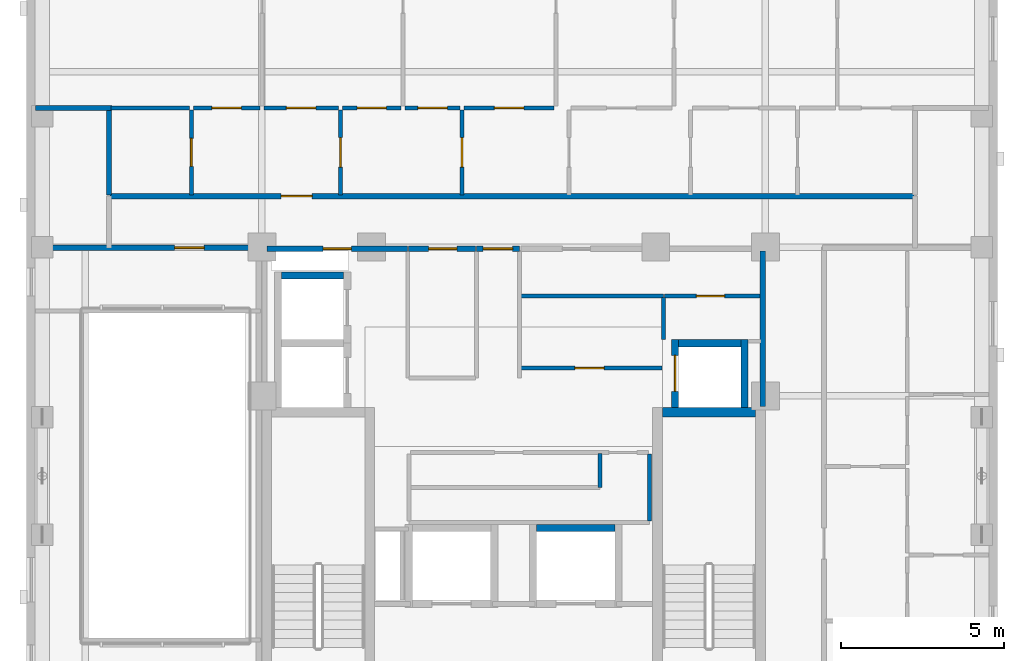
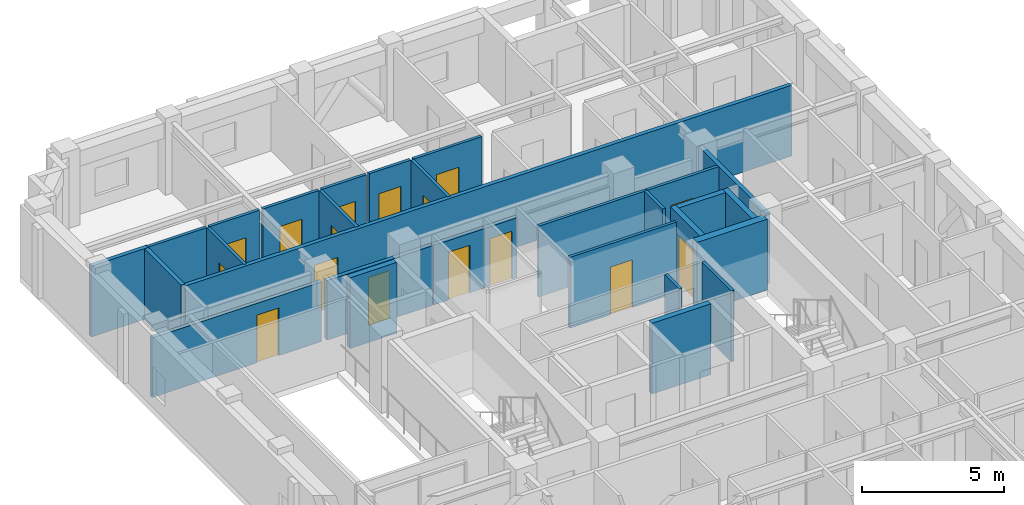
# One storey, part 7 of 13: 29 walls, 16 doors, 16 openings.
"""IFC4 building model written with IfcOpenShell, lengths in metres."""

from ifc_helpers import new_model, si_unit, derived_unit, direction, frame, frame_2d, origin, place, context, subcontext, project, spatial, rectangle, extrude, material, layer, layer_set, type_object, element, fill, save


model = new_model("IFC4")

# Units and contexts
model_context = context("Model", 3, precision=1e-05, world=origin(), true_north=direction((0.0, 1.0)))
body_context = subcontext(model_context, "Body", "Model", "MODEL_VIEW")
ifc_project = project(units=[si_unit("LENGTHUNIT", "METRE"), si_unit("AREAUNIT", "SQUARE_METRE"), si_unit("VOLUMEUNIT", "CUBIC_METRE"), si_unit("PLANEANGLEUNIT", "RADIAN"), si_unit("MASSUNIT", "GRAM", prefix="KILO"), derived_unit("THERMALTRANSMITTANCEUNIT", [(si_unit("MASSUNIT", "GRAM", prefix="KILO"), 1), (si_unit("TIMEUNIT", "SECOND"), -3), (si_unit("THERMODYNAMICTEMPERATUREUNIT", "KELVIN"), -1)])], contexts=[model_context])

# Site, building, storey
site_placement = place(None, origin())
site = spatial("IfcSite", under=ifc_project, at=site_placement, CompositionType="ELEMENT")
building_placement = place(site_placement, origin())
building = spatial("IfcBuilding", under=site, at=building_placement, Name="Korrvale Station Residences", CompositionType="ELEMENT")
storey_placement = place(building_placement, frame((0.0, 0.0, 181.0)))
storey = spatial("IfcBuildingStorey", under=building, at=storey_placement, Name="L52", CompositionType="ELEMENT", Elevation=181.0)

# Walls
ifc_material_1 = material(Name="Concrete C50/60", Category="concrete")
ifc_layer_1 = layer(ifc_material_1, 0.300048828125, Name="Concrete C50/60")
ifc_layer_set_1 = layer_set([ifc_layer_1], Name="Concrete C50/60")
wall_type_1 = type_object("IfcWallType", Name="WAL-CORE-300-C50", PredefinedType="SHEAR", material=ifc_layer_set_1)
wall_1_placement = place(storey_placement, frame((30.050048828125, 23.949951171875, 0.0), z_axis=(0.0, 0.0, 1.0), x_axis=(1.0, 0.0, 0.0)))
element("IfcWall", 1, at=wall_1_placement, inside=storey, type_object=wall_type_1, Name="L52 ST-2 Core Shear Wall North", PredefinedType="SHEAR", context=body_context, shape_type="SweptSolid", body=[
    extrude(rectangle(XDim=2.849853515625, YDim=0.300048828125, at=frame_2d((1.4248046875, 0.0))), origin(), (0.0, 0.0, 1.0), 3.0400390625),
])
ifc_material_2 = material(Name="Acoustic steel-stud gypsum board partition", Category="steel")
ifc_layer_2 = layer(ifc_material_2, 0.1201171875, Name="Acoustic steel-stud gypsum board partition")
ifc_layer_set_2 = layer_set([ifc_layer_2], Name="Acoustic steel-stud gypsum board partition")
wall_type_2 = type_object("IfcWallType", Name="WAL-PART-125", PredefinedType="PARTITIONING", material=ifc_layer_set_2)
wall_2_placement = place(storey_placement, frame((30.080078125, 26.179931640625, 0.0), z_axis=(0.0, 0.0, 1.0), x_axis=(0.0, 1.0, 0.0)))
element("IfcWall", 2, at=wall_2_placement, inside=storey, type_object=wall_type_2, Name="L52 Core Partition CW-CS-W", PredefinedType="PARTITIONING", context=body_context, shape_type="SweptSolid", body=[
    extrude(rectangle(XDim=1.280029296875, YDim=0.1201171875, at=frame_2d((0.64013671875, 0.0))), origin(), (0.0, 0.0, 1.0), 3.0400390625),
])

# Wall, opening, door
wall_3_placement = place(storey_placement, frame((30.1201171875, 27.5, 0.0), z_axis=(0.0, 0.0, 1.0), x_axis=(1.0, 0.0, 0.0)))
wall_3 = element("IfcWall", 3, at=wall_3_placement, inside=storey, type_object=wall_type_2, Name="L52 Core Partition CW-CS-H", PredefinedType="PARTITIONING", context=body_context, shape_type="SweptSolid", body=[
    extrude(rectangle(XDim=2.919921875, YDim=0.1201171875, at=frame_2d((1.4599609375, 0.0))), origin(), (0.0, 0.0, 1.0), 3.0400390625),
])
opening_1_placement = place(wall_3_placement, frame((0.969970703125, 0.0, 0.0)))
opening_1 = element("IfcOpeningElement", 4, at=opening_1_placement, cuts=wall_3, Name="Opening DB-860", PredefinedType="OPENING", context=body_context, shape_type="SweptSolid", body=[
    extrude(rectangle(XDim=0.860107421875, YDim=2.050048828125, at=frame_2d((0.43017578125, 1.02490234375))), frame((0.0, 0.070068359375, 0.0), z_axis=(0.0, -1.0, 0.0), x_axis=(1.0, 0.0, 0.0)), (0.0, 0.0, 1.0), 0.14013671875),
])
ifc_material_3 = material(Name="Moisture-resistant solid-core bathroom door", Category="timber")
door_type_1 = type_object("IfcDoorType", Name="DR-BATH-860", OperationType="NOTDEFINED", PredefinedType="DOOR", material=ifc_material_3)
door_1_placement = place(opening_1_placement, origin())
door_1 = element("IfcDoor", 5, at=door_1_placement, inside=storey, type_object=door_type_1, Name="L52 Mail Sorting Inner Door", OperationType="SINGLE_SWING_LEFT", OverallHeight=2.050048828125, OverallWidth=0.860107421875, PredefinedType="DOOR", context=body_context, shape_type="SweptSolid", body=[
    extrude(rectangle(XDim=0.860107421875, YDim=2.050048828125, at=frame_2d((0.43017578125, 1.02490234375))), frame((0.0, 0.02490234375, 0.0), z_axis=(0.0, -1.0, 0.0), x_axis=(1.0, 0.0, 0.0)), (0.0, 0.0, 1.0), 0.050048828125),
])
fill(opening_1, door_1)

# Wall
wall_4_placement = place(storey_placement, frame((25.719970703125, 27.5, 0.0), z_axis=(0.0, 0.0, 1.0), x_axis=(1.0, 0.0, 0.0)))
element("IfcWall", 6, at=wall_4_placement, inside=storey, type_object=wall_type_2, Name="L52 Core Partition CW-FPLE-H", PredefinedType="PARTITIONING", context=body_context, shape_type="SweptSolid", body=[
    extrude(rectangle(XDim=4.360107421875, YDim=0.1201171875, at=frame_2d((2.18017578125, 0.0))), origin(), (0.0, 0.0, 1.0), 3.0400390625),
])

# Wall, opening, door
wall_5_placement = place(storey_placement, frame((25.719970703125, 25.300048828125, 0.0), z_axis=(0.0, 0.0, 1.0), x_axis=(1.0, 0.0, 0.0)))
wall_5 = element("IfcWall", 7, at=wall_5_placement, inside=storey, type_object=wall_type_2, Name="L52 Core Partition CW-FPLE-S", PredefinedType="PARTITIONING", context=body_context, shape_type="SweptSolid", body=[
    extrude(rectangle(XDim=4.320068359375, YDim=0.1201171875, at=frame_2d((2.16015625, 0.0))), origin(), (0.0, 0.0, 1.0), 3.0400390625),
])
opening_2_placement = place(wall_5_placement, frame((1.64990234375, 0.0, 0.0)))
opening_2 = element("IfcOpeningElement", 8, at=opening_2_placement, cuts=wall_5, Name="Opening DI-900", PredefinedType="OPENING", context=body_context, shape_type="SweptSolid", body=[
    extrude(rectangle(XDim=0.89990234375, YDim=2.050048828125, at=frame_2d((0.449951171875, 1.02490234375))), frame((0.0, 0.070068359375, 0.0), z_axis=(0.0, -1.0, 0.0), x_axis=(1.0, 0.0, 0.0)), (0.0, 0.0, 1.0), 0.14013671875),
])
ifc_material_4 = material(Name="Painted solid-core timber interior room door", Category="wood")
door_type_2 = type_object("IfcDoorType", Name="DR-INT-900", OperationType="NOTDEFINED", PredefinedType="DOOR", material=ifc_material_4)
door_2_placement = place(opening_2_placement, origin())
door_2 = element("IfcDoor", 9, at=door_2_placement, inside=storey, type_object=door_type_2, Name="L52 Housekeeping Linen Door", OperationType="SINGLE_SWING_LEFT", OverallHeight=2.050048828125, OverallWidth=0.89990234375, PredefinedType="DOOR", context=body_context, shape_type="SweptSolid", body=[
    extrude(rectangle(XDim=0.89990234375, YDim=2.050048828125, at=frame_2d((0.449951171875, 1.02490234375))), frame((0.0, 0.02490234375, 0.0), z_axis=(0.0, -1.0, 0.0), x_axis=(1.0, 0.0, 0.0)), (0.0, 0.0, 1.0), 0.050048828125),
])
fill(opening_2, door_2)

# Walls
wall_6_placement = place(storey_placement, frame((29.659912109375, 20.6201171875, 0.0), z_axis=(0.0, 0.0, 1.0), x_axis=(0.0, 1.0, 0.0)))
element("IfcWall", 10, at=wall_6_placement, inside=storey, type_object=wall_type_2, Name="L52 Core Partition CW-FPM-E", PredefinedType="PARTITIONING", context=body_context, shape_type="SweptSolid", body=[
    extrude(rectangle(XDim=2.059814453125, YDim=0.1201171875, at=frame_2d((1.02978515625, 0.0))), origin(), (0.0, 0.0, 1.0), 3.0400390625),
])
wall_7_placement = place(storey_placement, frame((28.139892578125, 21.64990234375, 0.0), z_axis=(0.0, 0.0, 1.0), x_axis=(0.0, 1.0, 0.0)))
element("IfcWall", 11, at=wall_7_placement, inside=storey, type_object=wall_type_2, Name="L52 Core Partition CW-FPM-V1", PredefinedType="PARTITIONING", context=body_context, shape_type="SweptSolid", body=[
    extrude(rectangle(XDim=1.030029296875, YDim=0.1201171875, at=frame_2d((0.51513671875, 0.0))), origin(), (0.0, 0.0, 1.0), 3.0400390625),
])

# Wall, opening, door
wall_8_placement = place(storey_placement, frame((15.639892578125, 30.60009765625, 0.0), z_axis=(0.0, 0.0, 1.0), x_axis=(0.0, 1.0, 0.0)))
wall_8 = element("IfcWall", 12, at=wall_8_placement, inside=storey, type_object=wall_type_2, Name="L52 Suite Partition U02-V01", PredefinedType="PARTITIONING", context=body_context, shape_type="SweptSolid", body=[
    extrude(rectangle(XDim=2.599853515625, YDim=0.1201171875, at=frame_2d((1.2998046875, 0.0))), origin(), (0.0, 0.0, 1.0), 3.0400390625),
])
opening_3_placement = place(wall_8_placement, frame((0.8701171875, 0.0, 0.0)))
opening_3 = element("IfcOpeningElement", 13, at=opening_3_placement, cuts=wall_8, Name="Opening DB-860", PredefinedType="OPENING", context=body_context, shape_type="SweptSolid", body=[
    extrude(rectangle(XDim=0.860107421875, YDim=2.050048828125, at=frame_2d((0.43017578125, 1.02490234375))), frame((0.0, 0.070068359375, 0.0), z_axis=(0.0, -1.0, 0.0), x_axis=(1.0, 0.0, 0.0)), (0.0, 0.0, 1.0), 0.14013671875),
])
door_3_placement = place(opening_3_placement, origin())
door_3 = element("IfcDoor", 14, at=door_3_placement, inside=storey, type_object=door_type_1, Name="L52 Apartment 3BR L52-U02 Bathroom Door", OperationType="SINGLE_SWING_LEFT", OverallHeight=2.050048828125, OverallWidth=0.860107421875, PredefinedType="DOOR", context=body_context, shape_type="SweptSolid", body=[
    extrude(rectangle(XDim=0.860107421875, YDim=2.050048828125, at=frame_2d((0.43017578125, 1.02490234375))), frame((0.0, 0.02490234375, 0.0), z_axis=(0.0, -1.0, 0.0), x_axis=(1.0, 0.0, 0.0)), (0.0, 0.0, 1.0), 0.050048828125),
])
fill(opening_3, door_3)

# Wall
wall_9_placement = place(storey_placement, frame((13.179931640625, 33.260009765625, 0.0), z_axis=(0.0, 0.0, 1.0), x_axis=(1.0, 0.0, 0.0)))
element("IfcWall", 15, at=wall_9_placement, inside=storey, type_object=wall_type_2, Name="L52 Suite Partition U02-H07", PredefinedType="PARTITIONING", context=body_context, shape_type="SweptSolid", body=[
    extrude(rectangle(XDim=2.400146484375, YDim=0.1201171875, at=frame_2d((1.2001953125, 0.0))), origin(), (0.0, 0.0, 1.0), 3.0400390625),
])

# Wall, opening, door
wall_10_placement = place(storey_placement, frame((20.199951171875, 30.60009765625, 0.0), z_axis=(0.0, 0.0, 1.0), x_axis=(0.0, 1.0, 0.0)))
wall_10 = element("IfcWall", 16, at=wall_10_placement, inside=storey, type_object=wall_type_2, Name="L52 Suite Partition U02-V12", PredefinedType="PARTITIONING", context=body_context, shape_type="SweptSolid", body=[
    extrude(rectangle(XDim=2.599853515625, YDim=0.1201171875, at=frame_2d((1.2998046875, 0.0))), origin(), (0.0, 0.0, 1.0), 3.0400390625),
])
opening_4_placement = place(wall_10_placement, frame((0.85009765625, 0.0, 0.0)))
opening_4 = element("IfcOpeningElement", 17, at=opening_4_placement, cuts=wall_10, Name="Opening DI-900", PredefinedType="OPENING", context=body_context, shape_type="SweptSolid", body=[
    extrude(rectangle(XDim=0.89990234375, YDim=2.050048828125, at=frame_2d((0.449951171875, 1.02490234375))), frame((0.0, 0.070068359375, 0.0), z_axis=(0.0, -1.0, 0.0), x_axis=(1.0, 0.0, 0.0)), (0.0, 0.0, 1.0), 0.14013671875),
])
door_4_placement = place(opening_4_placement, origin())
door_4 = element("IfcDoor", 18, at=door_4_placement, inside=storey, type_object=door_type_2, Name="L52 Apartment 3BR L52-U02 Kitchen Door", OperationType="SINGLE_SWING_RIGHT", OverallHeight=2.050048828125, OverallWidth=0.89990234375, PredefinedType="DOOR", context=body_context, shape_type="SweptSolid", body=[
    extrude(rectangle(XDim=0.89990234375, YDim=2.050048828125, at=frame_2d((0.449951171875, 1.02490234375))), frame((0.0, 0.02490234375, 0.0), z_axis=(0.0, -1.0, 0.0), x_axis=(1.0, 0.0, 0.0)), (0.0, 0.0, 1.0), 0.050048828125),
])
fill(opening_4, door_4)

wall_11_placement = place(storey_placement, frame((15.699951171875, 33.260009765625, 0.0), z_axis=(0.0, 0.0, 1.0), x_axis=(1.0, 0.0, 0.0)))
wall_11 = element("IfcWall", 19, at=wall_11_placement, inside=storey, type_object=wall_type_2, Name="L52 Suite Partition U02-H17", PredefinedType="PARTITIONING", context=body_context, shape_type="SweptSolid", body=[
    extrude(rectangle(XDim=2.0400390625, YDim=0.1201171875, at=frame_2d((1.02001953125, 0.0))), origin(), (0.0, 0.0, 1.0), 3.0400390625),
])
opening_5_placement = place(wall_11_placement, frame((0.570068359375, 0.0, 0.0)))
opening_5 = element("IfcOpeningElement", 20, at=opening_5_placement, cuts=wall_11, Name="Opening DI-900", PredefinedType="OPENING", context=body_context, shape_type="SweptSolid", body=[
    extrude(rectangle(XDim=0.89990234375, YDim=2.050048828125, at=frame_2d((0.449951171875, 1.02490234375))), frame((0.0, 0.070068359375, 0.0), z_axis=(0.0, -1.0, 0.0), x_axis=(1.0, 0.0, 0.0)), (0.0, 0.0, 1.0), 0.14013671875),
])
door_5_placement = place(opening_5_placement, origin())
door_5 = element("IfcDoor", 21, at=door_5_placement, inside=storey, type_object=door_type_2, Name="L52 Apartment 3BR L52-U02 Kitchen Door", OperationType="SINGLE_SWING_LEFT", OverallHeight=2.050048828125, OverallWidth=0.89990234375, PredefinedType="DOOR", context=body_context, shape_type="SweptSolid", body=[
    extrude(rectangle(XDim=0.89990234375, YDim=2.050048828125, at=frame_2d((0.449951171875, 1.02490234375))), frame((0.0, 0.02490234375, 0.0), z_axis=(0.0, -1.0, 0.0), x_axis=(1.0, 0.0, 0.0)), (0.0, 0.0, 1.0), 0.050048828125),
])
fill(opening_5, door_5)

wall_12_placement = place(storey_placement, frame((17.860107421875, 33.260009765625, 0.0), z_axis=(0.0, 0.0, 1.0), x_axis=(1.0, 0.0, 0.0)))
wall_12 = element("IfcWall", 22, at=wall_12_placement, inside=storey, type_object=wall_type_2, Name="L52 Suite Partition U02-H18", PredefinedType="PARTITIONING", context=body_context, shape_type="SweptSolid", body=[
    extrude(rectangle(XDim=2.27978515625, YDim=0.1201171875, at=frame_2d((1.139892578125, 0.0))), origin(), (0.0, 0.0, 1.0), 3.0400390625),
])
opening_6_placement = place(wall_12_placement, frame((0.68994140625, 0.0, 0.0)))
opening_6 = element("IfcOpeningElement", 23, at=opening_6_placement, cuts=wall_12, Name="Opening DI-900", PredefinedType="OPENING", context=body_context, shape_type="SweptSolid", body=[
    extrude(rectangle(XDim=0.89990234375, YDim=2.050048828125, at=frame_2d((0.449951171875, 1.02490234375))), frame((0.0, 0.070068359375, 0.0), z_axis=(0.0, -1.0, 0.0), x_axis=(1.0, 0.0, 0.0)), (0.0, 0.0, 1.0), 0.14013671875),
])
door_6_placement = place(opening_6_placement, origin())
door_6 = element("IfcDoor", 24, at=door_6_placement, inside=storey, type_object=door_type_2, Name="L52 Apartment 3BR L52-U02 Kitchen Door", OperationType="SINGLE_SWING_RIGHT", OverallHeight=2.050048828125, OverallWidth=0.89990234375, PredefinedType="DOOR", context=body_context, shape_type="SweptSolid", body=[
    extrude(rectangle(XDim=0.89990234375, YDim=2.050048828125, at=frame_2d((0.449951171875, 1.02490234375))), frame((0.0, 0.02490234375, 0.0), z_axis=(0.0, -1.0, 0.0), x_axis=(1.0, 0.0, 0.0)), (0.0, 0.0, 1.0), 0.050048828125),
])
fill(opening_6, door_6)

wall_13_placement = place(storey_placement, frame((23.919921875, 30.60009765625, 0.0), z_axis=(0.0, 0.0, 1.0), x_axis=(0.0, 1.0, 0.0)))
wall_13 = element("IfcWall", 25, at=wall_13_placement, inside=storey, type_object=wall_type_2, Name="L52 Suite Partition U02-V23", PredefinedType="PARTITIONING", context=body_context, shape_type="SweptSolid", body=[
    extrude(rectangle(XDim=2.599853515625, YDim=0.1201171875, at=frame_2d((1.2998046875, 0.0))), origin(), (0.0, 0.0, 1.0), 3.0400390625),
])
opening_7_placement = place(wall_13_placement, frame((0.85009765625, 0.0, 0.0)))
opening_7 = element("IfcOpeningElement", 26, at=opening_7_placement, cuts=wall_13, Name="Opening DI-900", PredefinedType="OPENING", context=body_context, shape_type="SweptSolid", body=[
    extrude(rectangle(XDim=0.89990234375, YDim=2.050048828125, at=frame_2d((0.449951171875, 1.02490234375))), frame((0.0, 0.070068359375, 0.0), z_axis=(0.0, -1.0, 0.0), x_axis=(1.0, 0.0, 0.0)), (0.0, 0.0, 1.0), 0.14013671875),
])
door_7_placement = place(opening_7_placement, origin())
door_7 = element("IfcDoor", 27, at=door_7_placement, inside=storey, type_object=door_type_2, Name="L52 Apartment 3BR L52-U02 Utility and Laundry Room Door", OperationType="SINGLE_SWING_LEFT", OverallHeight=2.050048828125, OverallWidth=0.89990234375, PredefinedType="DOOR", context=body_context, shape_type="SweptSolid", body=[
    extrude(rectangle(XDim=0.89990234375, YDim=2.050048828125, at=frame_2d((0.449951171875, 1.02490234375))), frame((0.0, 0.02490234375, 0.0), z_axis=(0.0, -1.0, 0.0), x_axis=(1.0, 0.0, 0.0)), (0.0, 0.0, 1.0), 0.050048828125),
])
fill(opening_7, door_7)

wall_14_placement = place(storey_placement, frame((20.260009765625, 33.260009765625, 0.0), z_axis=(0.0, 0.0, 1.0), x_axis=(1.0, 0.0, 0.0)))
wall_14 = element("IfcWall", 28, at=wall_14_placement, inside=storey, type_object=wall_type_2, Name="L52 Suite Partition U02-H28", PredefinedType="PARTITIONING", context=body_context, shape_type="SweptSolid", body=[
    extrude(rectangle(XDim=1.800048828125, YDim=0.1201171875, at=frame_2d((0.89990234375, 0.0))), origin(), (0.0, 0.0, 1.0), 3.0400390625),
])
opening_8_placement = place(wall_14_placement, frame((0.449951171875, 0.0, 0.0)))
opening_8 = element("IfcOpeningElement", 29, at=opening_8_placement, cuts=wall_14, Name="Opening DI-900", PredefinedType="OPENING", context=body_context, shape_type="SweptSolid", body=[
    extrude(rectangle(XDim=0.89990234375, YDim=2.050048828125, at=frame_2d((0.449951171875, 1.02490234375))), frame((0.0, 0.070068359375, 0.0), z_axis=(0.0, -1.0, 0.0), x_axis=(1.0, 0.0, 0.0)), (0.0, 0.0, 1.0), 0.14013671875),
])
door_8_placement = place(opening_8_placement, origin())
door_8 = element("IfcDoor", 30, at=door_8_placement, inside=storey, type_object=door_type_2, Name="L52 Apartment 3BR L52-U02 Utility and Laundry Room Door", OperationType="SINGLE_SWING_RIGHT", OverallHeight=2.050048828125, OverallWidth=0.89990234375, PredefinedType="DOOR", context=body_context, shape_type="SweptSolid", body=[
    extrude(rectangle(XDim=0.89990234375, YDim=2.050048828125, at=frame_2d((0.449951171875, 1.02490234375))), frame((0.0, 0.02490234375, 0.0), z_axis=(0.0, -1.0, 0.0), x_axis=(1.0, 0.0, 0.0)), (0.0, 0.0, 1.0), 0.050048828125),
])
fill(opening_8, door_8)

wall_15_placement = place(storey_placement, frame((22.179931640625, 33.260009765625, 0.0), z_axis=(0.0, 0.0, 1.0), x_axis=(1.0, 0.0, 0.0)))
wall_15 = element("IfcWall", 31, at=wall_15_placement, inside=storey, type_object=wall_type_2, Name="L52 Suite Partition U02-H29", PredefinedType="PARTITIONING", context=body_context, shape_type="SweptSolid", body=[
    extrude(rectangle(XDim=1.68017578125, YDim=0.1201171875, at=frame_2d((0.840087890625, 0.0))), origin(), (0.0, 0.0, 1.0), 3.0400390625),
])
opening_9_placement = place(wall_15_placement, frame((0.389892578125, 0.0, 0.0)))
opening_9 = element("IfcOpeningElement", 32, at=opening_9_placement, cuts=wall_15, Name="Opening DI-900", PredefinedType="OPENING", context=body_context, shape_type="SweptSolid", body=[
    extrude(rectangle(XDim=0.89990234375, YDim=2.050048828125, at=frame_2d((0.449951171875, 1.02490234375))), frame((0.0, 0.070068359375, 0.0), z_axis=(0.0, -1.0, 0.0), x_axis=(1.0, 0.0, 0.0)), (0.0, 0.0, 1.0), 0.14013671875),
])
door_9_placement = place(opening_9_placement, origin())
door_9 = element("IfcDoor", 33, at=door_9_placement, inside=storey, type_object=door_type_2, Name="L52 Apartment 3BR L52-U02 Utility and Laundry Room Door", OperationType="SINGLE_SWING_LEFT", OverallHeight=2.050048828125, OverallWidth=0.89990234375, PredefinedType="DOOR", context=body_context, shape_type="SweptSolid", body=[
    extrude(rectangle(XDim=0.89990234375, YDim=2.050048828125, at=frame_2d((0.449951171875, 1.02490234375))), frame((0.0, 0.02490234375, 0.0), z_axis=(0.0, -1.0, 0.0), x_axis=(1.0, 0.0, 0.0)), (0.0, 0.0, 1.0), 0.050048828125),
])
fill(opening_9, door_9)

wall_16_placement = place(storey_placement, frame((23.97998046875, 33.260009765625, 0.0), z_axis=(0.0, 0.0, 1.0), x_axis=(1.0, 0.0, 0.0)))
wall_16 = element("IfcWall", 34, at=wall_16_placement, inside=storey, type_object=wall_type_2, Name="L52 Suite Partition U02-H39", PredefinedType="PARTITIONING", context=body_context, shape_type="SweptSolid", body=[
    extrude(rectangle(XDim=2.760009765625, YDim=0.1201171875, at=frame_2d((1.3798828125, 0.0))), origin(), (0.0, 0.0, 1.0), 3.0400390625),
])
opening_10_placement = place(wall_16_placement, frame((0.929931640625, 0.0, 0.0)))
opening_10 = element("IfcOpeningElement", 35, at=opening_10_placement, cuts=wall_16, Name="Opening DI-900", PredefinedType="OPENING", context=body_context, shape_type="SweptSolid", body=[
    extrude(rectangle(XDim=0.89990234375, YDim=2.050048828125, at=frame_2d((0.449951171875, 1.02490234375))), frame((0.0, 0.070068359375, 0.0), z_axis=(0.0, -1.0, 0.0), x_axis=(1.0, 0.0, 0.0)), (0.0, 0.0, 1.0), 0.14013671875),
])
door_10_placement = place(opening_10_placement, origin())
door_10 = element("IfcDoor", 36, at=door_10_placement, inside=storey, type_object=door_type_2, Name="L52 Apartment 3BR L52-U02 Storage Closet 2 Door", OperationType="SINGLE_SWING_LEFT", OverallHeight=2.050048828125, OverallWidth=0.89990234375, PredefinedType="DOOR", context=body_context, shape_type="SweptSolid", body=[
    extrude(rectangle(XDim=0.89990234375, YDim=2.050048828125, at=frame_2d((0.449951171875, 1.02490234375))), frame((0.0, 0.02490234375, 0.0), z_axis=(0.0, -1.0, 0.0), x_axis=(1.0, 0.0, 0.0)), (0.0, 0.0, 1.0), 0.050048828125),
])
fill(opening_10, door_10)

# Wall
ifc_material_5 = material(Name="Fire-rated twin-stud gypsum and mineral wool shaftwall assembly", Category="gypsum")
ifc_layer_3 = layer(ifc_material_5, 0.159912109375, Name="Fire-rated twin-stud gypsum and mineral wool shaftwall assembly")
ifc_layer_set_3 = layer_set([ifc_layer_3], Name="Fire-rated twin-stud gypsum and mineral wool shaftwall assembly")
wall_type_3 = type_object("IfcWallType", Name="WAL-PART-200", PredefinedType="PARTITIONING", material=ifc_layer_set_3)
wall_17_placement = place(storey_placement, frame((33.1201171875, 24.1201171875, 0.0), z_axis=(0.0, 0.0, 1.0), x_axis=(0.0, 1.0, 0.0)))
element("IfcWall", 37, at=wall_17_placement, inside=storey, type_object=wall_type_3, Name="L52 Core Partition CW-E-N", PredefinedType="PARTITIONING", context=body_context, shape_type="SweptSolid", body=[
    extrude(rectangle(XDim=4.759765625, YDim=0.159912109375, at=frame_2d((2.3798828125, 0.0))), origin(), (0.0, 0.0, 1.0), 3.0400390625),
])

# Wall, opening, door
wall_18_placement = place(storey_placement, frame((24.360107421875, 28.949951171875, 0.0), z_axis=(0.0, 0.0, 1.0), x_axis=(1.0, 0.0, 0.0)))
wall_18 = element("IfcWall", 38, at=wall_18_placement, inside=storey, type_object=wall_type_3, Name="L52 Core Partition CW-LLOB-N", PredefinedType="PARTITIONING", context=body_context, shape_type="SweptSolid", body=[
    extrude(rectangle(XDim=1.31982421875, YDim=0.159912109375, at=frame_2d((0.659912109375, 0.0))), origin(), (0.0, 0.0, 1.0), 2.555908203125),
])
opening_11_placement = place(wall_18_placement, frame((0.2099609375, 0.0, 0.0)))
opening_11 = element("IfcOpeningElement", 39, at=opening_11_placement, cuts=wall_18, Name="Opening DI-900", PredefinedType="OPENING", context=body_context, shape_type="SweptSolid", body=[
    extrude(rectangle(XDim=0.89990234375, YDim=2.050048828125, at=frame_2d((0.449951171875, 1.02490234375))), frame((0.0, 0.08984375, 0.0), z_axis=(0.0, -1.0, 0.0), x_axis=(1.0, 0.0, 0.0)), (0.0, 0.0, 1.0), 0.179931640625),
])
door_11_placement = place(opening_11_placement, origin())
door_11 = element("IfcDoor", 40, at=door_11_placement, inside=storey, type_object=door_type_2, Name="L52 Central Hallway North Passage Door", OperationType="SINGLE_SWING_LEFT", OverallHeight=2.050048828125, OverallWidth=0.89990234375, PredefinedType="DOOR", context=body_context, shape_type="SweptSolid", body=[
    extrude(rectangle(XDim=0.89990234375, YDim=2.050048828125, at=frame_2d((0.449951171875, 1.02490234375))), frame((0.0, 0.02490234375, 0.0), z_axis=(0.0, -1.0, 0.0), x_axis=(1.0, 0.0, 0.0)), (0.0, 0.0, 1.0), 0.050048828125),
])
fill(opening_11, door_11)

wall_19_placement = place(storey_placement, frame((17.9599609375, 28.949951171875, 0.0), z_axis=(0.0, 0.0, 1.0), x_axis=(1.0, 0.0, 0.0)))
wall_19 = element("IfcWall", 41, at=wall_19_placement, inside=storey, type_object=wall_type_3, Name="L52 Core Partition CW-NW", PredefinedType="PARTITIONING", context=body_context, shape_type="SweptSolid", body=[
    extrude(rectangle(XDim=4.2900390625, YDim=0.159912109375, at=frame_2d((2.14501953125, 0.0))), origin(), (0.0, 0.0, 1.0), 2.555908203125),
])
opening_12_placement = place(wall_19_placement, frame((1.715087890625, 0.0, 0.0)))
opening_12 = element("IfcOpeningElement", 42, at=opening_12_placement, cuts=wall_19, Name="Opening DB-860", PredefinedType="OPENING", context=body_context, shape_type="SweptSolid", body=[
    extrude(rectangle(XDim=0.860107421875, YDim=2.050048828125, at=frame_2d((0.43017578125, 1.02490234375))), frame((0.0, 0.08984375, 0.0), z_axis=(0.0, -1.0, 0.0), x_axis=(1.0, 0.0, 0.0)), (0.0, 0.0, 1.0), 0.179931640625),
])
door_12_placement = place(opening_12_placement, origin())
door_12 = element("IfcDoor", 43, at=door_12_placement, inside=storey, type_object=door_type_1, Name="L52 Electrical Riser Access Door", OperationType="SINGLE_SWING_RIGHT", OverallHeight=2.050048828125, OverallWidth=0.860107421875, PredefinedType="DOOR", context=body_context, shape_type="SweptSolid", body=[
    extrude(rectangle(XDim=0.860107421875, YDim=2.050048828125, at=frame_2d((0.43017578125, 1.02490234375))), frame((0.0, 0.02490234375, 0.0), z_axis=(0.0, -1.0, 0.0), x_axis=(1.0, 0.0, 0.0)), (0.0, 0.0, 1.0), 0.050048828125),
])
fill(opening_12, door_12)

wall_20_placement = place(storey_placement, frame((22.280029296875, 28.949951171875, 0.0), z_axis=(0.0, 0.0, 1.0), x_axis=(1.0, 0.0, 0.0)))
wall_20 = element("IfcWall", 44, at=wall_20_placement, inside=storey, type_object=wall_type_3, Name="L52 Core Partition CW-FPLW-N", PredefinedType="PARTITIONING", context=body_context, shape_type="SweptSolid", body=[
    extrude(rectangle(XDim=2.06005859375, YDim=0.159912109375, at=frame_2d((1.030029296875, 0.0))), origin(), (0.0, 0.0, 1.0), 2.555908203125),
])
opening_13_placement = place(wall_20_placement, frame((0.6201171875, 0.0, 0.0)))
opening_13 = element("IfcOpeningElement", 45, at=opening_13_placement, cuts=wall_20, Name="Opening DB-860", PredefinedType="OPENING", context=body_context, shape_type="SweptSolid", body=[
    extrude(rectangle(XDim=0.860107421875, YDim=2.050048828125, at=frame_2d((0.43017578125, 1.02490234375))), frame((0.0, 0.08984375, 0.0), z_axis=(0.0, -1.0, 0.0), x_axis=(1.0, 0.0, 0.0)), (0.0, 0.0, 1.0), 0.179931640625),
])
door_13_placement = place(opening_13_placement, origin())
door_13 = element("IfcDoor", 46, at=door_13_placement, inside=storey, type_object=door_type_1, Name="L52 Resident Parcel Room Door", OperationType="SINGLE_SWING_RIGHT", OverallHeight=2.050048828125, OverallWidth=0.860107421875, PredefinedType="DOOR", context=body_context, shape_type="SweptSolid", body=[
    extrude(rectangle(XDim=0.860107421875, YDim=2.050048828125, at=frame_2d((0.43017578125, 1.02490234375))), frame((0.0, 0.02490234375, 0.0), z_axis=(0.0, -1.0, 0.0), x_axis=(1.0, 0.0, 0.0)), (0.0, 0.0, 1.0), 0.050048828125),
])
fill(opening_13, door_13)

wall_21_placement = place(storey_placement, frame((10.8798828125, 28.97998046875, 0.0), z_axis=(0.0, 0.0, 1.0), x_axis=(1.0, 0.0, 0.0)))
wall_21 = element("IfcWall", 47, at=wall_21_placement, inside=storey, type_object=wall_type_3, Name="L52 Atrium Salon North Wall", PredefinedType="PARTITIONING", context=body_context, shape_type="SweptSolid", body=[
    extrude(rectangle(XDim=6.880126953125, YDim=0.159912109375, at=frame_2d((3.43994140625, 0.0))), origin(), (0.0, 0.0, 1.0), 2.555908203125),
])
opening_14_placement = place(wall_21_placement, frame((4.25, 0.0, 0.0)))
opening_14 = element("IfcOpeningElement", 48, at=opening_14_placement, cuts=wall_21, Name="Opening DI-900", PredefinedType="OPENING", context=body_context, shape_type="SweptSolid", body=[
    extrude(rectangle(XDim=0.89990234375, YDim=2.050048828125, at=frame_2d((0.449951171875, 1.02490234375))), frame((0.0, 0.08984375, 0.0), z_axis=(0.0, -1.0, 0.0), x_axis=(1.0, 0.0, 0.0)), (0.0, 0.0, 1.0), 0.179931640625),
])
door_14_placement = place(opening_14_placement, origin())
door_14 = element("IfcDoor", 49, at=door_14_placement, inside=storey, type_object=door_type_2, Name="L52 Atrium Salon North Door", OperationType="SINGLE_SWING_RIGHT", OverallHeight=2.050048828125, OverallWidth=0.89990234375, PredefinedType="DOOR", context=body_context, shape_type="SweptSolid", body=[
    extrude(rectangle(XDim=0.89990234375, YDim=2.050048828125, at=frame_2d((0.449951171875, 1.02490234375))), frame((0.0, 0.02490234375, 0.0), z_axis=(0.0, -1.0, 0.0), x_axis=(1.0, 0.0, 0.0)), (0.0, 0.0, 1.0), 0.050048828125),
])
fill(opening_14, door_14)

# Walls
wall_22_placement = place(storey_placement, frame((10.8798828125, 33.260009765625, 0.0), z_axis=(0.0, 0.0, 1.0), x_axis=(1.0, 0.0, 0.0)))
element("IfcWall", 50, at=wall_22_placement, inside=storey, type_object=wall_type_3, Name="L52 Corner Step Wall U02-L", PredefinedType="PARTITIONING", context=body_context, shape_type="SweptSolid", body=[
    extrude(rectangle(XDim=2.340087890625, YDim=0.159912109375, at=frame_2d((1.169921875, 0.0))), origin(), (0.0, 0.0, 1.0), 3.0400390625),
])
wall_23_placement = place(storey_placement, frame((13.1201171875, 30.60009765625, 0.0), z_axis=(0.0, 0.0, 1.0), x_axis=(0.0, 1.0, 0.0)))
element("IfcWall", 51, at=wall_23_placement, inside=storey, type_object=wall_type_3, Name="L52 Corner Step Cheek U02-L", PredefinedType="PARTITIONING", context=body_context, shape_type="SweptSolid", body=[
    extrude(rectangle(XDim=2.659912109375, YDim=0.159912109375, at=frame_2d((1.330078125, 0.0))), origin(), (0.0, 0.0, 1.0), 3.0400390625),
])

# Wall, opening, door
wall_24_placement = place(storey_placement, frame((13.14990234375, 30.56005859375, 0.0), z_axis=(0.0, 0.0, 1.0), x_axis=(1.0, 0.0, 0.0)))
wall_24 = element("IfcWall", 52, at=wall_24_placement, inside=storey, type_object=wall_type_3, Name="L52 Rated Corridor Wall N", PredefinedType="PARTITIONING", context=body_context, shape_type="SweptSolid", body=[
    extrude(rectangle(XDim=24.60009765625, YDim=0.159912109375, at=frame_2d((12.300048828125, 0.0))), origin(), (0.0, 0.0, 1.0), 3.0400390625),
])
opening_15_placement = place(wall_24_placement, frame((5.235107421875, 0.0, 0.0)))
opening_15 = element("IfcOpeningElement", 53, at=opening_15_placement, cuts=wall_24, Name="Opening UD-950", PredefinedType="OPENING", context=body_context, shape_type="SweptSolid", body=[
    extrude(rectangle(XDim=0.949951171875, YDim=2.10009765625, at=frame_2d((0.47509765625, 1.050048828125))), frame((0.0, 0.08984375, 0.0), z_axis=(0.0, -1.0, 0.0), x_axis=(1.0, 0.0, 0.0)), (0.0, 0.0, 1.0), 0.179931640625),
])
ifc_material_6 = material(Name="Solid-core acoustic oak apartment entrance door", Category="timber")
door_type_3 = type_object("IfcDoorType", Name="DR-UNIT-950", OperationType="NOTDEFINED", PredefinedType="DOOR", material=ifc_material_6)
door_15_placement = place(opening_15_placement, origin())
door_15 = element("IfcDoor", 54, at=door_15_placement, inside=storey, type_object=door_type_3, Name="L52 Apartment L52-U02 Entrance Door", OperationType="SINGLE_SWING_LEFT", OverallHeight=2.10009765625, OverallWidth=0.949951171875, PredefinedType="DOOR", context=body_context, shape_type="SweptSolid", body=[
    extrude(rectangle(XDim=0.949951171875, YDim=2.10009765625, at=frame_2d((0.47509765625, 1.050048828125))), frame((0.0, 0.02490234375, 0.0), z_axis=(0.0, -1.0, 0.0), x_axis=(1.0, 0.0, 0.0)), (0.0, 0.0, 1.0), 0.050048828125),
])
fill(opening_15, door_15)

# Walls
ifc_layer_4 = layer(ifc_material_1, 0.219970703125, Name="Concrete C50/60")
ifc_layer_set_4 = layer_set([ifc_layer_4], Name="Concrete C50/60")
wall_type_4 = type_object("IfcWallType", Name="WAL-SHAFT-220-C50", PredefinedType="SHEAR", material=ifc_layer_set_4)
wall_25_placement = place(storey_placement, frame((18.39990234375, 28.1298828125, 0.0), z_axis=(0.0, 0.0, 1.0), x_axis=(1.0, 0.0, 0.0)))
element("IfcWall", 55, at=wall_25_placement, inside=storey, type_object=wall_type_4, Name="L52 Elevator PH-2 Hoistway Wall North", PredefinedType="SHEAR", context=body_context, shape_type="SweptSolid", body=[
    extrude(rectangle(XDim=1.900146484375, YDim=0.219970703125, at=frame_2d((0.9501953125, 0.0))), origin(), (0.0, 0.0, 1.0), 3.0400390625),
])
wall_26_placement = place(storey_placement, frame((30.550048828125, 26.06005859375, 0.0), z_axis=(0.0, 0.0, 1.0), x_axis=(1.0, 0.0, 0.0)))
element("IfcWall", 56, at=wall_26_placement, inside=storey, type_object=wall_type_4, Name="L52 Elevator PH-3 Hoistway Wall North", PredefinedType="SHEAR", context=body_context, shape_type="SweptSolid", body=[
    extrude(rectangle(XDim=1.89990234375, YDim=0.219970703125, at=frame_2d((0.949951171875, 0.0))), origin(), (0.0, 0.0, 1.0), 3.0400390625),
])

# Wall, opening, door
wall_27_placement = place(storey_placement, frame((30.43994140625, 24.10009765625, 0.0), z_axis=(0.0, 0.0, 1.0), x_axis=(0.0, 1.0, 0.0)))
wall_27 = element("IfcWall", 57, at=wall_27_placement, inside=storey, type_object=wall_type_4, Name="L52 Elevator PH-3 Hoistway Wall West", PredefinedType="SHEAR", context=body_context, shape_type="SweptSolid", body=[
    extrude(rectangle(XDim=2.06982421875, YDim=0.219970703125, at=frame_2d((1.034912109375, 0.0))), origin(), (0.0, 0.0, 1.0), 3.0400390625),
])
opening_16_placement = place(wall_27_placement, frame((0.485107421875, 0.0, 0.0)))
opening_16 = element("IfcOpeningElement", 58, at=opening_16_placement, cuts=wall_27, Name="Opening LD-1100", PredefinedType="OPENING", context=body_context, shape_type="SweptSolid", body=[
    extrude(rectangle(XDim=1.10009765625, YDim=2.14990234375, at=frame_2d((0.550048828125, 1.074951171875))), frame((0.0, 0.1201171875, 0.0), z_axis=(0.0, -1.0, 0.0), x_axis=(1.0, 0.0, 0.0)), (0.0, 0.0, 1.0), 0.239990234375),
])
ifc_material_7 = material(Name="Brushed stainless-steel elevator landing sliding door", Category="steel")
door_type_4 = type_object("IfcDoorType", Name="DR-LIFT-1100", OperationType="SLIDING_TO_LEFT", PredefinedType="DOOR", material=ifc_material_7)
door_16_placement = place(opening_16_placement, origin())
door_16 = element("IfcDoor", 59, at=door_16_placement, inside=storey, type_object=door_type_4, Name="L52 Elevator PH-3 Sliding Landing Door", OperationType="SLIDING_TO_LEFT", OverallHeight=2.14990234375, OverallWidth=1.10009765625, PredefinedType="DOOR", context=body_context, shape_type="SweptSolid", body=[
    extrude(rectangle(XDim=1.10009765625, YDim=2.14990234375, at=frame_2d((0.550048828125, 1.074951171875))), frame((0.0, 0.02490234375, 0.0), z_axis=(0.0, -1.0, 0.0), x_axis=(1.0, 0.0, 0.0)), (0.0, 0.0, 1.0), 0.050048828125),
])
fill(opening_16, door_16)

# Walls
wall_28_placement = place(storey_placement, frame((32.56005859375, 24.10009765625, 0.0), z_axis=(0.0, 0.0, 1.0), x_axis=(0.0, 1.0, 0.0)))
element("IfcWall", 60, at=wall_28_placement, inside=storey, type_object=wall_type_4, Name="L52 Elevator PH-3 Hoistway Wall East", PredefinedType="SHEAR", context=body_context, shape_type="SweptSolid", body=[
    extrude(rectangle(XDim=2.06982421875, YDim=0.219970703125, at=frame_2d((1.034912109375, 0.0))), origin(), (0.0, 0.0, 1.0), 3.0400390625),
])
wall_29_placement = place(storey_placement, frame((26.199951171875, 20.409912109375, 0.0), z_axis=(0.0, 0.0, 1.0), x_axis=(1.0, 0.0, 0.0)))
element("IfcWall", 61, at=wall_29_placement, inside=storey, type_object=wall_type_4, Name="L52 Elevator FFL-2 Hoistway Wall North", PredefinedType="SHEAR", context=body_context, shape_type="SweptSolid", body=[
    extrude(rectangle(XDim=2.400146484375, YDim=0.219970703125, at=frame_2d((1.2001953125, 0.0))), origin(), (0.0, 0.0, 1.0), 3.0400390625),
])

save(model, "model.ifc")
